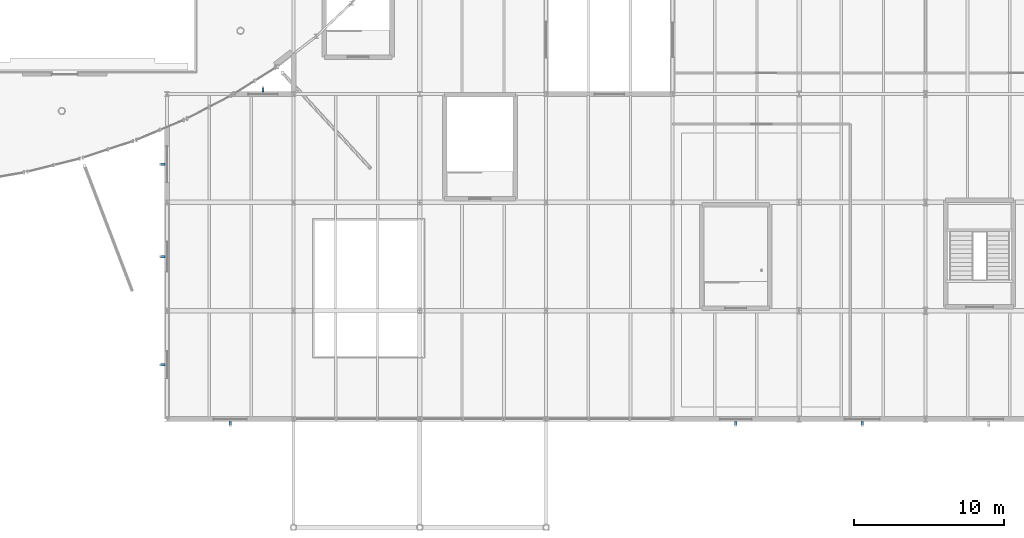
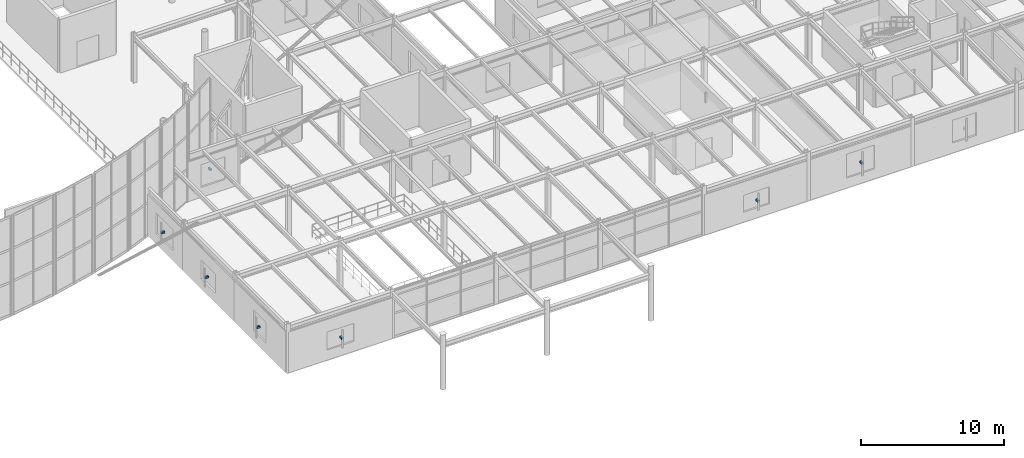
# One storey, part 72 of 109: 7 discrete accessories.
"""IFC4 building model written with IfcOpenShell, lengths in metres."""

from ifc_helpers import new_model, si_unit, derived_unit, direction, frame, origin, origin_2d, place, context, subcontext, project, spatial, rectangle, extrude, material, type_object, element, save


model = new_model("IFC4")

# Units and contexts
model_context = context("Model", 3, precision=1e-05, world=origin(), true_north=direction((0.0, 1.0)))
body_context = subcontext(model_context, "Body", "Model", "MODEL_VIEW")
ifc_project = project(units=[si_unit("LENGTHUNIT", "METRE"), si_unit("AREAUNIT", "SQUARE_METRE"), si_unit("VOLUMEUNIT", "CUBIC_METRE"), si_unit("PLANEANGLEUNIT", "RADIAN"), si_unit("MASSUNIT", "GRAM", prefix="KILO"), derived_unit("THERMALTRANSMITTANCEUNIT", [(si_unit("MASSUNIT", "GRAM", prefix="KILO"), 1), (si_unit("TIMEUNIT", "SECOND"), -3), (si_unit("THERMODYNAMICTEMPERATUREUNIT", "KELVIN"), -1)])], contexts=[model_context])

# Site, building, storey
site_placement = place(None, origin())
site = spatial("IfcSite", under=ifc_project, at=site_placement, CompositionType="ELEMENT")
building_placement = place(site_placement, origin())
building = spatial("IfcBuilding", under=site, at=building_placement, Name="Kharveza Railside Sports Centre", CompositionType="ELEMENT")
storey_placement = place(building_placement, frame((0.0, 0.0, 4.5)))
storey = spatial("IfcBuildingStorey", under=building, at=storey_placement, Name="L01", CompositionType="ELEMENT", Elevation=4.5)

# Discrete accessories
ifc_material = material(Name="Steel S275JR", Category="steel")
discrete_accessory_type = type_object("IfcDiscreteAccessoryType", Name="DA-BK01", PredefinedType="BRACKET", material=ifc_material)
for number, where, z_axis, x_axis, name in (
    (1, (81.976318359375, 29.090087890625, 1.7451171875), (0.0, 0.0, 1.0), (0.0, 1.0, 0.0), "BK-FIN-026"),
    (2, (75.31005859375, 24.129638671875, 1.669921875), (0.0, 0.0, 1.0), (-1.0, 0.0, 0.0), "BK-FIN-027"),
    (3, (75.31005859375, 18.0, 1.56982421875), (0.0, 0.0, 1.0), (-1.0, 0.0, 0.0), "BK-FIN-028"),
    (4, (75.31005859375, 10.800048828125, 1.669921875), (0.0, 0.0, 1.0), (-1.0, 0.0, 0.0), "BK-FIN-029"),
    (5, (79.800048828125, 6.909912109375, 1.544921875), (0.0, 0.0, 1.0), (0.0, -1.0, 0.0), "BK-FIN-030"),
    (6, (113.39990234375, 6.909912109375, 1.4951171875), (0.0, 0.0, 1.0), (0.0, -1.0, 0.0), "BK-FIN-031"),
    (7, (121.800048828125, 6.909912109375, 1.794921875), (0.0, 0.0, 1.0), (0.0, -1.0, 0.0), "BK-FIN-032"),
):
    element("IfcDiscreteAccessory", number, at=place(storey_placement, frame(where, z_axis=z_axis, x_axis=x_axis)), inside=storey, type_object=discrete_accessory_type, Name=name, PredefinedType="BRACKET", context=body_context, shape_type="SweptSolid", body=[
        extrude(rectangle(XDim=0.280029296875, YDim=0.159912109375, at=origin_2d()), origin(), (0.0, 0.0, 1.0), 0.159912109375),
    ])

save(model, "model.ifc")
